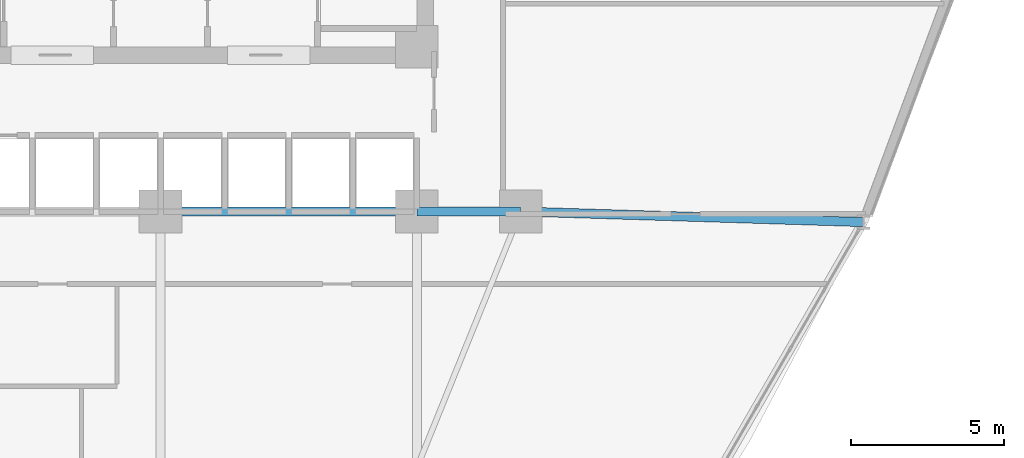
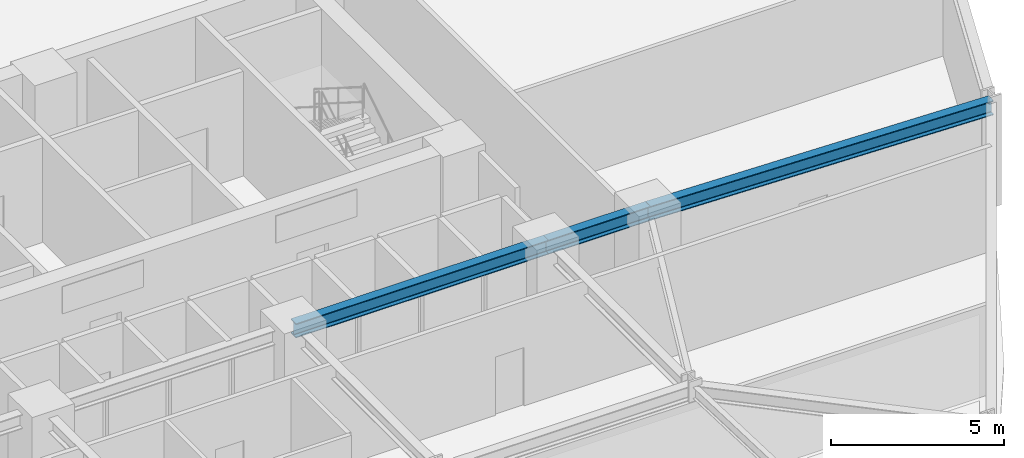
# One storey, part 8 of 21: 3 beams.
"""IFC4 building model written with IfcOpenShell, lengths in metres."""

from ifc_helpers import new_model, si_unit, derived_unit, direction, frame, origin, origin_2d, place, context, subcontext, project, spatial, i_section, extrude, source, transform, mapped, material, material_profile, profile_set, type_object, element, save


model = new_model("IFC4")

# Units and contexts
model_context = context("Model", 3, precision=1e-05, world=origin(), true_north=direction((0.0, 1.0)))
body_context = subcontext(model_context, "Body", "Model", "MODEL_VIEW")
ifc_project = project(units=[si_unit("LENGTHUNIT", "METRE"), si_unit("AREAUNIT", "SQUARE_METRE"), si_unit("VOLUMEUNIT", "CUBIC_METRE"), si_unit("PLANEANGLEUNIT", "RADIAN"), si_unit("MASSUNIT", "GRAM", prefix="KILO"), derived_unit("THERMALTRANSMITTANCEUNIT", [(si_unit("POWERUNIT", "WATT"), 1), (si_unit("LENGTHUNIT", "METRE"), -2), (si_unit("THERMODYNAMICTEMPERATUREUNIT", "KELVIN"), -1)])], contexts=[model_context])

# Site, building, storey
site_placement = place(None, origin())
site = spatial("IfcSite", under=ifc_project, at=site_placement, CompositionType="ELEMENT")
building_placement = place(site_placement, origin())
building = spatial("IfcBuilding", under=site, at=building_placement, Name="Korsvarv Bourse and Concert Hall", CompositionType="ELEMENT")
storey_placement = place(building_placement, frame((0.0, 0.0, 27.89990234375)))
storey = spatial("IfcBuildingStorey", under=building, at=storey_placement, Name="L06", CompositionType="ELEMENT", Elevation=27.89990234375)

# Beams
ifc_material = material(Name="Steel S355", Category="steel")
ifc_material_profile = material_profile(ifc_material, i_section(OverallWidth=0.300048828125, OverallDepth=0.5, WebThickness=0.014404296875, FlangeThickness=0.028076171875, FilletRadius=0.02392578125, at=origin_2d()), Name="HEB 500")
ifc_profile_set = profile_set([ifc_material_profile], Name="Steel S355")
beam_type = type_object("IfcBeamType", Name="BM-HEB500", PredefinedType="BEAM", material=ifc_profile_set)
shared_shape_1 = source(origin(), body_context, "Body", "SweptSolid", [
    extrude(i_section(OverallWidth=0.300048828125, OverallDepth=0.5, WebThickness=0.014404296875, FlangeThickness=0.028076171875, FilletRadius=0.02392578125, at=origin_2d()), origin(), (0.0, 0.0, 1.0), 3.400146484375),
])
beam_1_placement = place(storey_placement, frame((44.39990234375, 32.39990234375, 3.43017578125), z_axis=(1.0, 0.0, 0.0), x_axis=(0.0, 1.0, 0.0)))
element("IfcBeam", 1, at=beam_1_placement, inside=storey, type_object=beam_type, Name="L06 beam B-07", PredefinedType="BEAM", context=body_context, shape_type="MappedRepresentation", body=[
    mapped(shared_shape_1, transform((0.0, 0.0, 0.0), scale=1.0)),
])
shared_shape_2 = source(origin(), body_context, "Body", "SweptSolid", [
    extrude(i_section(OverallWidth=0.300048828125, OverallDepth=0.5, WebThickness=0.014404296875, FlangeThickness=0.028076171875, FilletRadius=0.02392578125, at=origin_2d()), origin(), (0.0, 0.0, 1.0), 8.39990234375),
])
beam_2_placement = place(storey_placement, frame((36.0, 32.39990234375, 3.43017578125), z_axis=(1.0, 0.0, 0.0), x_axis=(0.0, 1.0, 0.0)))
element("IfcBeam", 2, at=beam_2_placement, inside=storey, type_object=beam_type, Name="L06 beam B-07", PredefinedType="BEAM", context=body_context, shape_type="MappedRepresentation", body=[
    mapped(shared_shape_2, transform((0.0, 0.0, 0.0), scale=1.0)),
])
shared_shape_3 = source(origin(), body_context, "Body", "SweptSolid", [
    extrude(i_section(OverallWidth=0.300048828125, OverallDepth=0.5, WebThickness=0.014404296875, FlangeThickness=0.028076171875, FilletRadius=0.02392578125, at=origin_2d()), origin(), (0.0, 0.0, 1.0), 11.23486328125),
])
beam_3_placement = place(storey_placement, frame((59.029541015625, 32.05419921875, 3.43017578125), z_axis=(-0.999526469652, 0.03077070791, 0.0), x_axis=(-0.03077070791, -0.999526469652, 0.0)))
element("IfcBeam", 3, at=beam_3_placement, inside=storey, type_object=beam_type, Name="L06 beam B-07", PredefinedType="BEAM", context=body_context, shape_type="MappedRepresentation", body=[
    mapped(shared_shape_3, transform((0.0, 0.0, 0.0), scale=1.0)),
])

save(model, "model.ifc")
